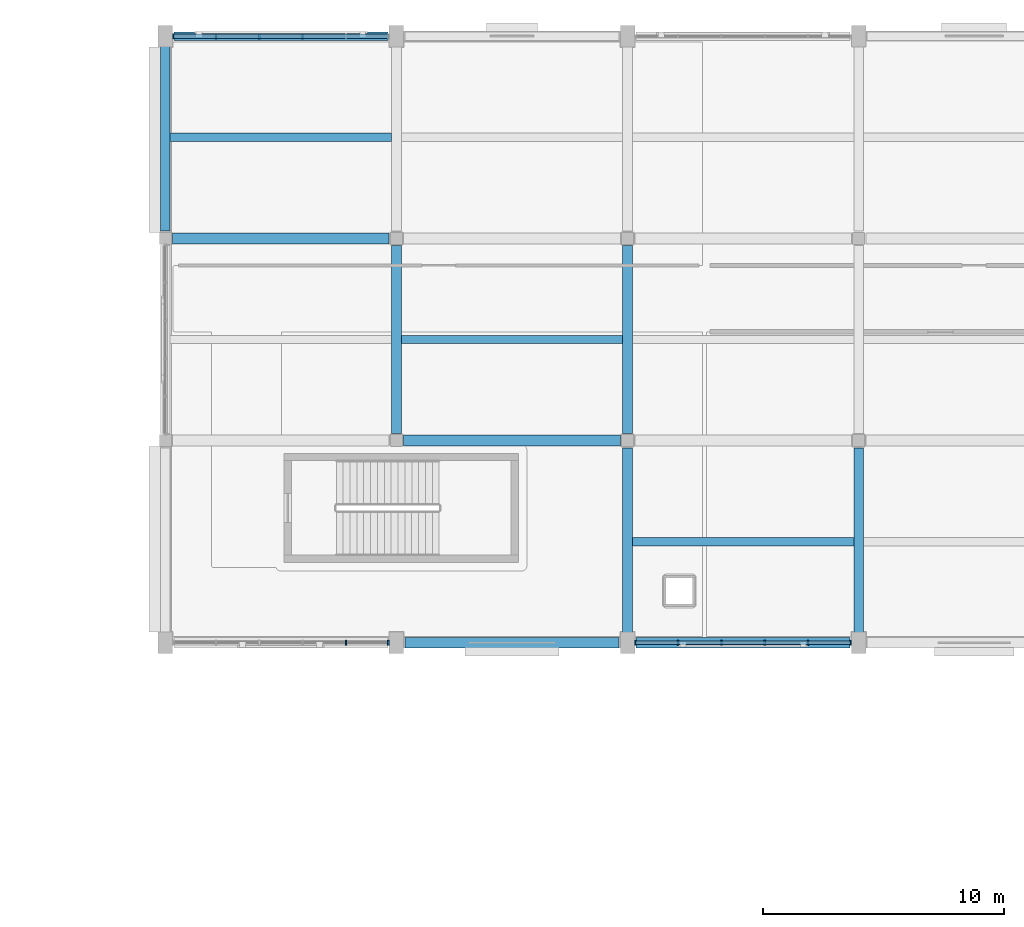
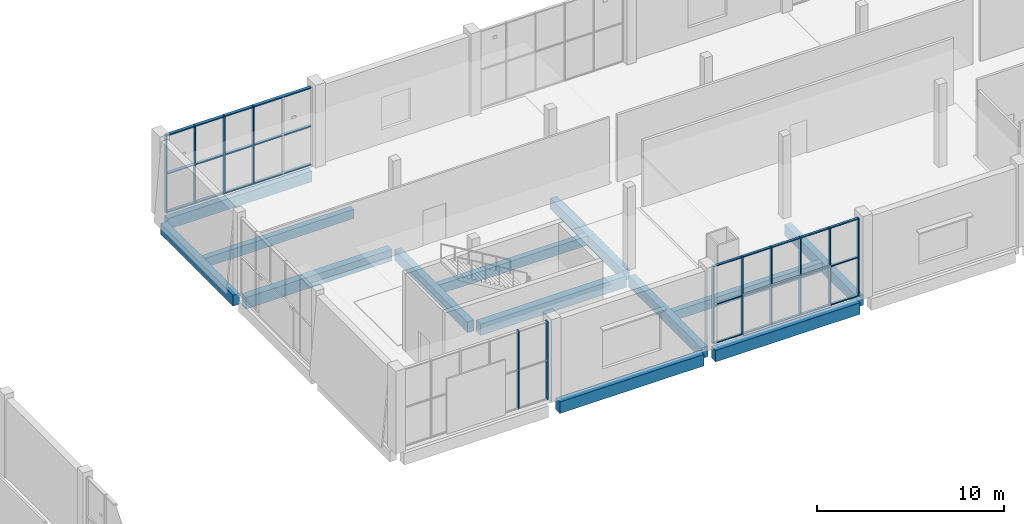
# One storey, part 30 of 83: 18 members, 13 beams, 3 elements without a shape of their own.
"""IFC4 building model written with IfcOpenShell, lengths in metres."""

from ifc_helpers import new_model, si_unit, direction, frame, origin, origin_2d, place, context, subcontext, project, spatial, rectangle, extrude, material, material_profile, profile_set, type_object, element, aggregate, save


model = new_model("IFC4")

# Units and contexts
model_context = context("Model", 3, precision=1e-05, world=origin(), true_north=direction((0.0, 1.0)))
body_context = subcontext(model_context, "Body", "Model", "MODEL_VIEW")
ifc_project = project(units=[si_unit("LENGTHUNIT", "METRE"), si_unit("AREAUNIT", "SQUARE_METRE"), si_unit("VOLUMEUNIT", "CUBIC_METRE"), si_unit("PLANEANGLEUNIT", "RADIAN"), si_unit("MASSUNIT", "GRAM", prefix="KILO")], contexts=[model_context])

# Site, building, storey
site_placement = place(None, origin())
site = spatial("IfcSite", under=ifc_project, at=site_placement, CompositionType="ELEMENT")
building_placement = place(site_placement, origin())
building = spatial("IfcBuilding", under=site, at=building_placement, Name="Shalvenor Court Art Gallery", CompositionType="ELEMENT")
storey_placement = place(building_placement, frame((0.0, 0.0, 6.0)))
storey = spatial("IfcBuildingStorey", under=building, at=storey_placement, Name="L01", CompositionType="ELEMENT", Elevation=6.0)

# Beams
ifc_material_1 = material(Name="Concrete C40/50", Category="concrete")
ifc_material_profile_1 = material_profile(ifc_material_1, rectangle(XDim=0.449951171875, YDim=0.75, at=origin_2d()), Name="RC 450x750")
ifc_profile_set_1 = profile_set([ifc_material_profile_1], Name="Concrete C40/50")
beam_type_1 = type_object("IfcBeamType", Name="B-04", PredefinedType="BEAM", material=ifc_profile_set_1)
beam_1_placement = place(storey_placement, frame((67.550048828125, 97.199951171875, -0.695068359375), z_axis=(1.0, 0.0, 0.0), x_axis=(0.0, 1.0, 0.0)))
element("IfcBeam", 1, at=beam_1_placement, inside=storey, type_object=beam_type_1, Name="L01 Girder BM-L01-B-04-0584", PredefinedType="BEAM", context=body_context, shape_type="SweptSolid", body=[
    extrude(rectangle(XDim=0.449951171875, YDim=0.75, at=origin_2d()), origin(), (0.0, 0.0, 1.0), 8.89990234375),
])
beam_2_placement = place(storey_placement, frame((77.14990234375, 97.199951171875, -0.695068359375), z_axis=(1.0, 0.0, 0.0), x_axis=(0.0, 1.0, 0.0)))
element("IfcBeam", 2, at=beam_2_placement, inside=storey, type_object=beam_type_1, Name="L01 Girder BM-L01-B-04-0585", PredefinedType="BEAM", context=body_context, shape_type="SweptSolid", body=[
    extrude(rectangle(XDim=0.449951171875, YDim=0.75, at=origin_2d()), origin(), (0.0, 0.0, 1.0), 8.900146484375),
])
for number, where, z_axis, x_axis, name in (
    (3, (67.5, 105.60009765625, -0.695068359375), (1.0, 0.0, 0.0), (0.0, 1.0, 0.0), "L01 Girder BM-L01-B-04-0600"),
    (4, (57.89990234375, 114.0, -0.695068359375), (1.0, 0.0, 0.0), (0.0, 1.0, 0.0), "L01 Girder BM-L01-B-04-0606"),
):
    element("IfcBeam", number, at=place(storey_placement, frame(where, z_axis=z_axis, x_axis=x_axis)), inside=storey, type_object=beam_type_1, Name=name, PredefinedType="BEAM", context=body_context, shape_type="SweptSolid", body=[
        extrude(rectangle(XDim=0.449951171875, YDim=0.75, at=origin_2d()), origin(), (0.0, 0.0, 1.0), 9.0),
    ])
ifc_material_2 = material(Name="Concrete C40/50", Category="concrete")
ifc_material_profile_2 = material_profile(ifc_material_2, rectangle(XDim=0.39990234375, YDim=0.699951171875, at=origin_2d()), Name="RC 400x700")
ifc_profile_set_2 = profile_set([ifc_material_profile_2], Name="Concrete C40/50")
beam_type_2 = type_object("IfcBeamType", Name="B-05", PredefinedType="BEAM", material=ifc_profile_set_2)
beam_3_placement = place(storey_placement, frame((57.60009765625, 114.300048828125, -0.669921875), z_axis=(0.0, 1.0, 0.0), x_axis=(-1.0, 0.0, 0.0)))
element("IfcBeam", 5, at=beam_3_placement, inside=storey, type_object=beam_type_2, Name="L01 Girder BM-L01-B-05-0406", PredefinedType="BEAM", context=body_context, shape_type="SweptSolid", body=[
    extrude(rectangle(XDim=0.39990234375, YDim=0.699951171875, at=origin_2d()), origin(), (0.0, 0.0, 1.0), 7.75),
])
beam_4_placement = place(storey_placement, frame((67.199951171875, 105.89990234375, -0.669921875), z_axis=(0.0, 1.0, 0.0), x_axis=(-1.0, 0.0, 0.0)))
element("IfcBeam", 6, at=beam_4_placement, inside=storey, type_object=beam_type_2, Name="L01 Girder BM-L01-B-05-0412", PredefinedType="BEAM", context=body_context, shape_type="SweptSolid", body=[
    extrude(rectangle(XDim=0.39990234375, YDim=0.699951171875, at=origin_2d()), origin(), (0.0, 0.0, 1.0), 7.800048828125),
])
beam_5_placement = place(storey_placement, frame((76.800048828125, 97.550048828125, -0.669921875), z_axis=(0.0, 1.0, 0.0), x_axis=(-1.0, 0.0, 0.0)))
element("IfcBeam", 7, at=beam_5_placement, inside=storey, type_object=beam_type_2, Name="L01 Girder BM-L01-B-05-0416", PredefinedType="BEAM", context=body_context, shape_type="SweptSolid", body=[
    extrude(rectangle(XDim=0.39990234375, YDim=0.699951171875, at=origin_2d()), origin(), (0.0, 0.0, 1.0), 7.75),
])
beam_6_placement = place(storey_placement, frame((76.800048828125, 105.89990234375, -0.669921875), z_axis=(0.0, 1.0, 0.0), x_axis=(-1.0, 0.0, 0.0)))
element("IfcBeam", 8, at=beam_6_placement, inside=storey, type_object=beam_type_2, Name="L01 Girder BM-L01-B-05-0417", PredefinedType="BEAM", context=body_context, shape_type="SweptSolid", body=[
    extrude(rectangle(XDim=0.39990234375, YDim=0.699951171875, at=origin_2d()), origin(), (0.0, 0.0, 1.0), 7.800048828125),
])
beam_7_placement = place(storey_placement, frame((86.39990234375, 97.550048828125, -0.669921875), z_axis=(0.0, 1.0, 0.0), x_axis=(-1.0, 0.0, 0.0)))
element("IfcBeam", 9, at=beam_7_placement, inside=storey, type_object=beam_type_2, Name="L01 Girder BM-L01-B-05-0419", PredefinedType="BEAM", context=body_context, shape_type="SweptSolid", body=[
    extrude(rectangle(XDim=0.39990234375, YDim=0.699951171875, at=origin_2d()), origin(), (0.0, 0.0, 1.0), 7.75),
])

# Curtain wall, members
ifc_material_3 = material(Name="Anodised aluminium and low-iron glass curtain wall", Category="aluminium")
curtain_wall_type_1 = type_object("IfcCurtainWallType", Name="CW-5x2-90-51-212", PredefinedType="USERDEFINED", material=ifc_material_3)
curtain_wall_1_placement = place(storey_placement, origin())
curtain_wall_1 = element("IfcCurtainWall", 10, at=curtain_wall_1_placement, inside=storey, type_object=curtain_wall_type_1, Name="L01 V2 Curtain Wall CW-L01-069", ObjectType="CURTAIN WALL", PredefinedType="USERDEFINED")
ifc_material_4 = material(Name="Anodised aluminium mullion", Category="aluminium")
ifc_material_profile_3 = material_profile(ifc_material_4, rectangle(XDim=0.070068359375, YDim=0.199951171875, at=origin_2d()), Name="CWM-02")
ifc_profile_set_3 = profile_set([ifc_material_profile_3], Name="Anodised aluminium mullion")
member_type_1 = type_object("IfcMemberType", Name="CWM-02", PredefinedType="MULLION", material=ifc_profile_set_3)
member_1_placement = place(storey_placement, frame((86.06494140625, 97.199951171875, 0.0), z_axis=(0.0, 0.0, 1.0), x_axis=(-1.0, 0.0, 0.0)))
member_1 = element("IfcMember", 11, at=member_1_placement, type_object=member_type_1, Name="CW-5x2-90-51-212 mullion 1", PredefinedType="MULLION", context=body_context, shape_type="SweptSolid", body=[
    extrude(rectangle(XDim=0.070068359375, YDim=0.199951171875, at=origin_2d()), origin(), (0.0, 0.0, 1.0), 5.080078125),
])
member_2_placement = place(storey_placement, frame((84.300048828125, 97.199951171875, 0.0), z_axis=(0.0, 0.0, 1.0), x_axis=(-1.0, 0.0, 0.0)))
member_2 = element("IfcMember", 12, at=member_2_placement, type_object=member_type_1, Name="CW-5x2-90-51-212 mullion 2", PredefinedType="MULLION", context=body_context, shape_type="SweptSolid", body=[
    extrude(rectangle(XDim=0.070068359375, YDim=0.199951171875, at=origin_2d()), origin(), (0.0, 0.0, 1.0), 5.080078125),
])
member_3_placement = place(storey_placement, frame((82.5, 97.199951171875, 0.0), z_axis=(0.0, 0.0, 1.0), x_axis=(-1.0, 0.0, 0.0)))
member_3 = element("IfcMember", 13, at=member_3_placement, type_object=member_type_1, Name="CW-5x2-90-51-212 mullion 3", PredefinedType="MULLION", context=body_context, shape_type="SweptSolid", body=[
    extrude(rectangle(XDim=0.070068359375, YDim=0.199951171875, at=origin_2d()), origin(), (0.0, 0.0, 1.0), 5.080078125),
])
member_4_placement = place(storey_placement, frame((80.699951171875, 97.199951171875, 0.0), z_axis=(0.0, 0.0, 1.0), x_axis=(-1.0, 0.0, 0.0)))
member_4 = element("IfcMember", 14, at=member_4_placement, type_object=member_type_1, Name="CW-5x2-90-51-212 mullion 4", PredefinedType="MULLION", context=body_context, shape_type="SweptSolid", body=[
    extrude(rectangle(XDim=0.070068359375, YDim=0.199951171875, at=origin_2d()), origin(), (0.0, 0.0, 1.0), 5.080078125),
])
member_5_placement = place(storey_placement, frame((78.89990234375, 97.199951171875, 0.0), z_axis=(0.0, 0.0, 1.0), x_axis=(-1.0, 0.0, 0.0)))
member_5 = element("IfcMember", 15, at=member_5_placement, type_object=member_type_1, Name="CW-5x2-90-51-212 mullion 5", PredefinedType="MULLION", context=body_context, shape_type="SweptSolid", body=[
    extrude(rectangle(XDim=0.070068359375, YDim=0.199951171875, at=origin_2d()), origin(), (0.0, 0.0, 1.0), 5.080078125),
])
member_6_placement = place(storey_placement, frame((77.135009765625, 97.199951171875, 0.0), z_axis=(0.0, 0.0, 1.0), x_axis=(-1.0, 0.0, 0.0)))
member_6 = element("IfcMember", 16, at=member_6_placement, type_object=member_type_1, Name="CW-5x2-90-51-212 mullion 6", PredefinedType="MULLION", context=body_context, shape_type="SweptSolid", body=[
    extrude(rectangle(XDim=0.070068359375, YDim=0.199951171875, at=origin_2d()), origin(), (0.0, 0.0, 1.0), 5.080078125),
])

ifc_material_5 = material(Name="Anodised aluminium and low-iron glass curtain wall", Category="aluminium")
curtain_wall_type_2 = type_object("IfcCurtainWallType", Name="CW-5x2-90-51-442", PredefinedType="USERDEFINED", material=ifc_material_5)
curtain_wall_2_placement = place(storey_placement, origin())
curtain_wall_2 = element("IfcCurtainWall", 17, at=curtain_wall_2_placement, inside=storey, type_object=curtain_wall_type_2, Name="L01 V2 Curtain Wall CW-L01-062", ObjectType="CURTAIN WALL", PredefinedType="USERDEFINED")
ifc_material_6 = material(Name="Anodised aluminium mullion", Category="aluminium")
ifc_material_profile_4 = material_profile(ifc_material_6, rectangle(XDim=0.074951171875, YDim=0.219970703125, at=origin_2d()), Name="CWM-04")
ifc_profile_set_4 = profile_set([ifc_material_profile_4], Name="Anodised aluminium mullion")
member_type_2 = type_object("IfcMemberType", Name="CWM-04", PredefinedType="MULLION", material=ifc_profile_set_4)
member_7_placement = place(storey_placement, frame((57.9375, 122.39990234375, 0.0), z_axis=(0.0, 0.0, 1.0), x_axis=(1.0, 0.0, 0.0)))
member_7 = element("IfcMember", 18, at=member_7_placement, type_object=member_type_2, Name="CW-5x2-90-51-442 mullion 1", PredefinedType="MULLION", context=body_context, shape_type="SweptSolid", body=[
    extrude(rectangle(XDim=0.074951171875, YDim=0.219970703125, at=origin_2d()), origin(), (0.0, 0.0, 1.0), 5.080078125),
])
member_8_placement = place(storey_placement, frame((59.699951171875, 122.39990234375, 0.0), z_axis=(0.0, 0.0, 1.0), x_axis=(1.0, 0.0, 0.0)))
member_8 = element("IfcMember", 19, at=member_8_placement, type_object=member_type_2, Name="CW-5x2-90-51-442 mullion 2", PredefinedType="MULLION", context=body_context, shape_type="SweptSolid", body=[
    extrude(rectangle(XDim=0.074951171875, YDim=0.219970703125, at=origin_2d()), origin(), (0.0, 0.0, 1.0), 5.080078125),
])
member_9_placement = place(storey_placement, frame((61.5, 122.39990234375, 0.0), z_axis=(0.0, 0.0, 1.0), x_axis=(1.0, 0.0, 0.0)))
member_9 = element("IfcMember", 20, at=member_9_placement, type_object=member_type_2, Name="CW-5x2-90-51-442 mullion 3", PredefinedType="MULLION", context=body_context, shape_type="SweptSolid", body=[
    extrude(rectangle(XDim=0.074951171875, YDim=0.219970703125, at=origin_2d()), origin(), (0.0, 0.0, 1.0), 5.080078125),
])
member_10_placement = place(storey_placement, frame((63.300048828125, 122.39990234375, 0.0), z_axis=(0.0, 0.0, 1.0), x_axis=(1.0, 0.0, 0.0)))
member_10 = element("IfcMember", 21, at=member_10_placement, type_object=member_type_2, Name="CW-5x2-90-51-442 mullion 4", PredefinedType="MULLION", context=body_context, shape_type="SweptSolid", body=[
    extrude(rectangle(XDim=0.074951171875, YDim=0.219970703125, at=origin_2d()), origin(), (0.0, 0.0, 1.0), 5.080078125),
])

ifc_material_7 = material(Name="Anodised aluminium and low-iron glass curtain wall", Category="aluminium")
curtain_wall_type_3 = type_object("IfcCurtainWallType", Name="CW-5x2-90-51-422", PredefinedType="USERDEFINED", material=ifc_material_7)
curtain_wall_3_placement = place(storey_placement, origin())
curtain_wall_3 = element("IfcCurtainWall", 22, at=curtain_wall_3_placement, inside=storey, type_object=curtain_wall_type_3, Name="L01 V2 Curtain Wall CW-L01-070", ObjectType="CURTAIN WALL", PredefinedType="USERDEFINED")
member_11_placement = place(storey_placement, frame((66.862548828125, 97.199951171875, 0.0), z_axis=(0.0, 0.0, 1.0), x_axis=(-1.0, 0.0, 0.0)))
member_11 = element("IfcMember", 23, at=member_11_placement, type_object=member_type_2, Name="CW-5x2-90-51-422 mullion 1", PredefinedType="MULLION", context=body_context, shape_type="SweptSolid", body=[
    extrude(rectangle(XDim=0.074951171875, YDim=0.219970703125, at=origin_2d()), origin(), (0.0, 0.0, 1.0), 5.080078125),
])
member_12_placement = place(storey_placement, frame((65.10009765625, 97.199951171875, 0.0), z_axis=(0.0, 0.0, 1.0), x_axis=(-1.0, 0.0, 0.0)))
member_12 = element("IfcMember", 24, at=member_12_placement, type_object=member_type_2, Name="CW-5x2-90-51-422 mullion 2", PredefinedType="MULLION", context=body_context, shape_type="SweptSolid", body=[
    extrude(rectangle(XDim=0.074951171875, YDim=0.219970703125, at=origin_2d()), origin(), (0.0, 0.0, 1.0), 5.080078125),
])
aggregate(curtain_wall_3, [member_11, member_12])

# Member
ifc_material_8 = material(Name="Anodised aluminium transom", Category="aluminium")
ifc_material_profile_5 = material_profile(ifc_material_8, rectangle(XDim=0.14990234375, YDim=0.06005859375, at=origin_2d()), Name="CWT-01")
ifc_profile_set_5 = profile_set([ifc_material_profile_5], Name="Anodised aluminium transom")
member_type_3 = type_object("IfcMemberType", Name="CWT-01", PredefinedType="USERDEFINED", material=ifc_profile_set_5)
member_13_placement = place(storey_placement, frame((86.06494140625, 97.199951171875, 0.030029296875), z_axis=(-1.0, 0.0, 0.0), x_axis=(0.0, -1.0, 0.0)))
member_13 = element("IfcMember", 25, at=member_13_placement, type_object=member_type_3, Name="CW-5x2-90-51-212 transom 1", ObjectType="TRANSOM", PredefinedType="USERDEFINED", context=body_context, shape_type="SweptSolid", body=[
    extrude(rectangle(XDim=0.14990234375, YDim=0.06005859375, at=origin_2d()), origin(), (0.0, 0.0, 1.0), 8.929931640625),
])

member_14_placement = place(storey_placement, frame((86.06494140625, 97.199951171875, 2.5400390625), z_axis=(-1.0, 0.0, 0.0), x_axis=(0.0, -1.0, 0.0)))
member_14 = element("IfcMember", 26, at=member_14_placement, type_object=member_type_3, Name="CW-5x2-90-51-212 transom 2", ObjectType="TRANSOM", PredefinedType="USERDEFINED", context=body_context, shape_type="SweptSolid", body=[
    extrude(rectangle(XDim=0.14990234375, YDim=0.06005859375, at=origin_2d()), origin(), (0.0, 0.0, 1.0), 8.929931640625),
])

member_15_placement = place(storey_placement, frame((86.06494140625, 97.199951171875, 5.050048828125), z_axis=(-1.0, 0.0, 0.0), x_axis=(0.0, -1.0, 0.0)))
member_15 = element("IfcMember", 27, at=member_15_placement, type_object=member_type_3, Name="CW-5x2-90-51-212 transom 3", ObjectType="TRANSOM", PredefinedType="USERDEFINED", context=body_context, shape_type="SweptSolid", body=[
    extrude(rectangle(XDim=0.14990234375, YDim=0.06005859375, at=origin_2d()), origin(), (0.0, 0.0, 1.0), 8.929931640625),
])

aggregate(curtain_wall_1, [member_1, member_2, member_3, member_4, member_5, member_6, member_13, member_14, member_15])

ifc_material_9 = material(Name="Anodised aluminium transom", Category="aluminium")
ifc_material_profile_6 = material_profile(ifc_material_9, rectangle(XDim=0.18994140625, YDim=0.070068359375, at=origin_2d()), Name="CWT-04")
ifc_profile_set_6 = profile_set([ifc_material_profile_6], Name="Anodised aluminium transom")
member_type_4 = type_object("IfcMemberType", Name="CWT-04", PredefinedType="USERDEFINED", material=ifc_profile_set_6)
member_16_placement = place(storey_placement, frame((57.9375, 122.39990234375, 0.034912109375), z_axis=(1.0, 0.0, 0.0), x_axis=(0.0, 1.0, 0.0)))
member_16 = element("IfcMember", 28, at=member_16_placement, type_object=member_type_4, Name="CW-5x2-90-51-442 transom 1", ObjectType="TRANSOM", PredefinedType="USERDEFINED", context=body_context, shape_type="SweptSolid", body=[
    extrude(rectangle(XDim=0.18994140625, YDim=0.070068359375, at=origin_2d()), origin(), (0.0, 0.0, 1.0), 8.925048828125),
])

member_17_placement = place(storey_placement, frame((57.9375, 122.39990234375, 2.5400390625), z_axis=(1.0, 0.0, 0.0), x_axis=(0.0, 1.0, 0.0)))
member_17 = element("IfcMember", 29, at=member_17_placement, type_object=member_type_4, Name="CW-5x2-90-51-442 transom 2", ObjectType="TRANSOM", PredefinedType="USERDEFINED", context=body_context, shape_type="SweptSolid", body=[
    extrude(rectangle(XDim=0.18994140625, YDim=0.070068359375, at=origin_2d()), origin(), (0.0, 0.0, 1.0), 8.925048828125),
])

member_18_placement = place(storey_placement, frame((57.9375, 122.39990234375, 5.044921875), z_axis=(1.0, 0.0, 0.0), x_axis=(0.0, 1.0, 0.0)))
member_18 = element("IfcMember", 30, at=member_18_placement, type_object=member_type_4, Name="CW-5x2-90-51-442 transom 3", ObjectType="TRANSOM", PredefinedType="USERDEFINED", context=body_context, shape_type="SweptSolid", body=[
    extrude(rectangle(XDim=0.18994140625, YDim=0.070068359375, at=origin_2d()), origin(), (0.0, 0.0, 1.0), 8.925048828125),
])

aggregate(curtain_wall_2, [member_7, member_8, member_9, member_10, member_16, member_17, member_18])

# Beams
ifc_material_10 = material(Name="Concrete C40/50", Category="concrete")
ifc_material_profile_7 = material_profile(ifc_material_10, rectangle(XDim=0.35009765625, YDim=0.60009765625, at=origin_2d()), Name="RC 350x600")
ifc_profile_set_7 = profile_set([ifc_material_profile_7], Name="Concrete C40/50")
beam_type_3 = type_object("IfcBeamType", Name="J-01", PredefinedType="JOIST", material=ifc_profile_set_7)
beam_8_placement = place(storey_placement, frame((57.800048828125, 118.199951171875, -0.6201171875), z_axis=(1.0, 0.0, 0.0), x_axis=(0.0, 1.0, 0.0)))
element("IfcBeam", 31, at=beam_8_placement, inside=storey, type_object=beam_type_3, Name="L01 Secondary Beam JST-L01-J-01-0647", PredefinedType="JOIST", context=body_context, shape_type="SweptSolid", body=[
    extrude(rectangle(XDim=0.35009765625, YDim=0.60009765625, at=origin_2d()), origin(), (0.0, 0.0, 1.0), 9.199951171875),
])
beam_9_placement = place(storey_placement, frame((67.39990234375, 109.800048828125, -0.6201171875), z_axis=(1.0, 0.0, 0.0), x_axis=(0.0, 1.0, 0.0)))
element("IfcBeam", 32, at=beam_9_placement, inside=storey, type_object=beam_type_3, Name="L01 Secondary Beam JST-L01-J-01-0648", PredefinedType="JOIST", context=body_context, shape_type="SweptSolid", body=[
    extrude(rectangle(XDim=0.35009765625, YDim=0.60009765625, at=origin_2d()), origin(), (0.0, 0.0, 1.0), 9.2001953125),
])
beam_10_placement = place(storey_placement, frame((77.0, 101.39990234375, -0.6201171875), z_axis=(1.0, 0.0, 0.0), x_axis=(0.0, 1.0, 0.0)))
element("IfcBeam", 33, at=beam_10_placement, inside=storey, type_object=beam_type_3, Name="L01 Secondary Beam JST-L01-J-01-0650", PredefinedType="JOIST", context=body_context, shape_type="SweptSolid", body=[
    extrude(rectangle(XDim=0.35009765625, YDim=0.60009765625, at=origin_2d()), origin(), (0.0, 0.0, 1.0), 9.199951171875),
])
ifc_material_11 = material(Name="Concrete C40/50", Category="concrete")
ifc_material_profile_8 = material_profile(ifc_material_11, rectangle(XDim=0.35009765625, YDim=0.699951171875, at=origin_2d()), Name="RC 350x700")
ifc_profile_set_8 = profile_set([ifc_material_profile_8], Name="Concrete C40/50")
beam_type_4 = type_object("IfcBeamType", Name="SP-01", PredefinedType="SPANDREL", material=ifc_profile_set_8)
beam_11_placement = place(storey_placement, frame((57.949951171875, 122.39990234375, -0.669921875), z_axis=(1.0, 0.0, 0.0), x_axis=(0.0, 1.0, 0.0)))
element("IfcBeam", 34, at=beam_11_placement, inside=storey, type_object=beam_type_4, Name="L01 Spandrel Girder BM-L01-SP-01-0617", PredefinedType="SPANDREL", context=body_context, shape_type="SweptSolid", body=[
    extrude(rectangle(XDim=0.35009765625, YDim=0.699951171875, at=origin_2d()), origin(), (0.0, 0.0, 1.0), 8.900146484375),
])

save(model, "model.ifc")
